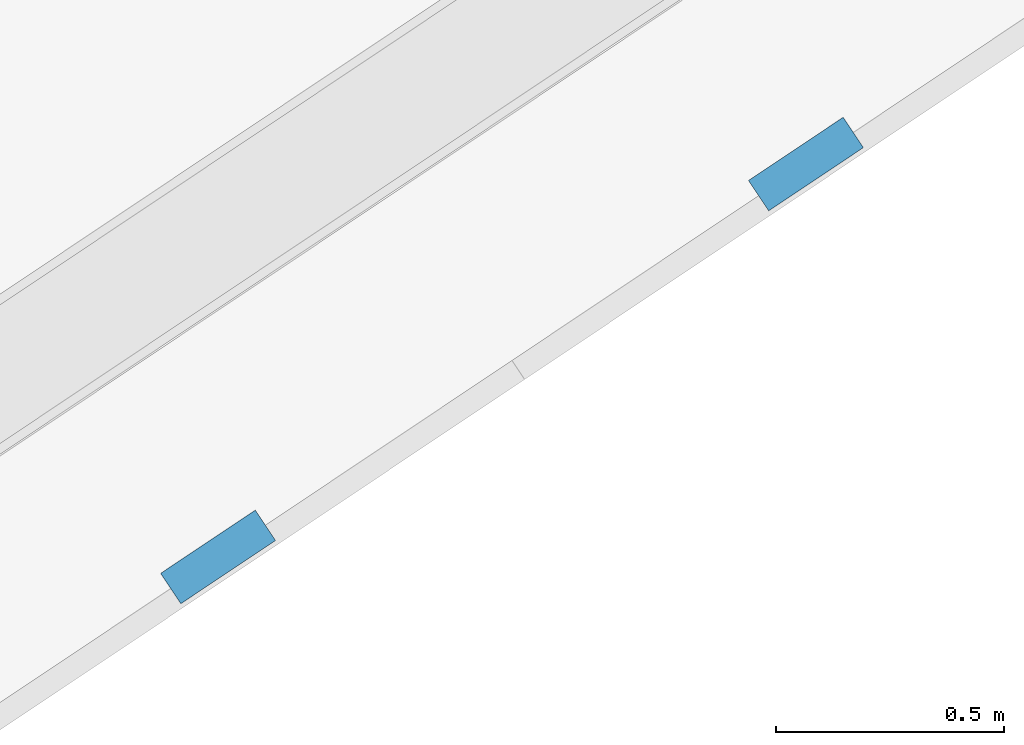
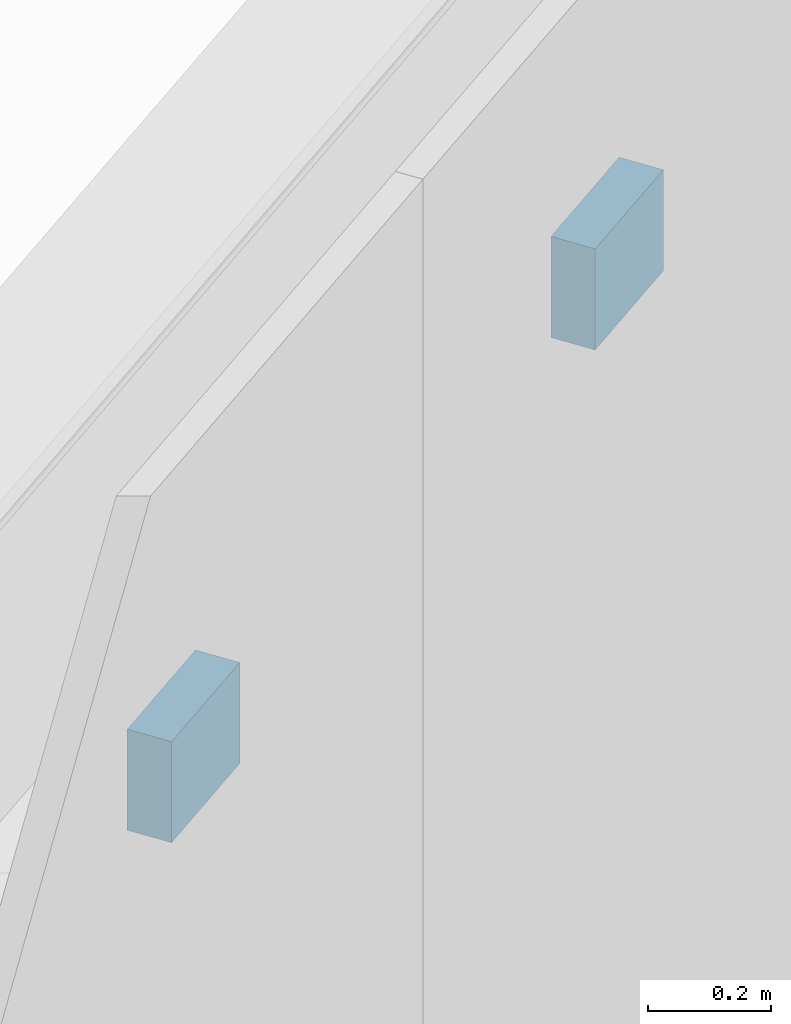
# One storey, part 172 of 278: 2 discrete accessories.
"""IFC4 building model written with IfcOpenShell, lengths in metres."""

from ifc_helpers import new_model, si_unit, direction, frame, origin, origin_2d, place, context, subcontext, project, spatial, rectangle, extrude, material, layer, layer_set, type_object, element, save


model = new_model("IFC4")

# Units and contexts
model_context = context("Model", 3, precision=1e-05, world=origin(), true_north=direction((0.0, 1.0)))
body_context = subcontext(model_context, "Body", "Model", "MODEL_VIEW")
ifc_project = project(units=[si_unit("LENGTHUNIT", "METRE"), si_unit("AREAUNIT", "SQUARE_METRE"), si_unit("VOLUMEUNIT", "CUBIC_METRE"), si_unit("PLANEANGLEUNIT", "RADIAN"), si_unit("MASSUNIT", "GRAM", prefix="KILO")], contexts=[model_context])

# Site, building, storey
site_placement = place(None, origin())
site = spatial("IfcSite", under=ifc_project, at=site_placement, CompositionType="ELEMENT")
building_placement = place(site_placement, origin())
building = spatial("IfcBuilding", under=site, at=building_placement, Name="Ogive Plaza Stadium", CompositionType="ELEMENT")
storey_placement = place(building_placement, frame((0.0, 0.0, 29.0)))
storey = spatial("IfcBuildingStorey", under=building, at=storey_placement, Name="Roof", CompositionType="ELEMENT", Elevation=29.0)

# Discrete accessories
ifc_material = material(Name="Steel ASTM A572 Grade 50", Category="steel")
ifc_layer = layer(ifc_material, 0.080078125)
ifc_layer_set = layer_set([ifc_layer], Name="Steel ASTM A572 Grade 50")
discrete_accessory_type = type_object("IfcDiscreteAccessoryType", Name="Tracery screen bracket 250x200", PredefinedType="BRACKET", material=ifc_layer_set)
for number, where, z_axis, x_axis, name in (
    (1, (58.351318359375, -95.928955078125, 5.25), (0.0, 0.0, 1.0), (-0.831469612303, -0.55557023302, 0.0), "TRACERY SCREEN BRACKET B10 9"),
    (2, (57.060791015625, -96.791259765625, 5.25), (0.0, 0.0, 1.0), (-0.831469612303, -0.55557023302, 0.0), "TRACERY SCREEN BRACKET B10 10"),
):
    element("IfcDiscreteAccessory", number, at=place(storey_placement, frame(where, z_axis=z_axis, x_axis=x_axis)), inside=storey, type_object=discrete_accessory_type, Name=name, PredefinedType="BRACKET", context=body_context, shape_type="SweptSolid", body=[
        extrude(rectangle(XDim=0.25, YDim=0.080078125, at=origin_2d()), origin(), (0.0, 0.0, 1.0), 0.199951171875),
    ])

save(model, "model.ifc")
